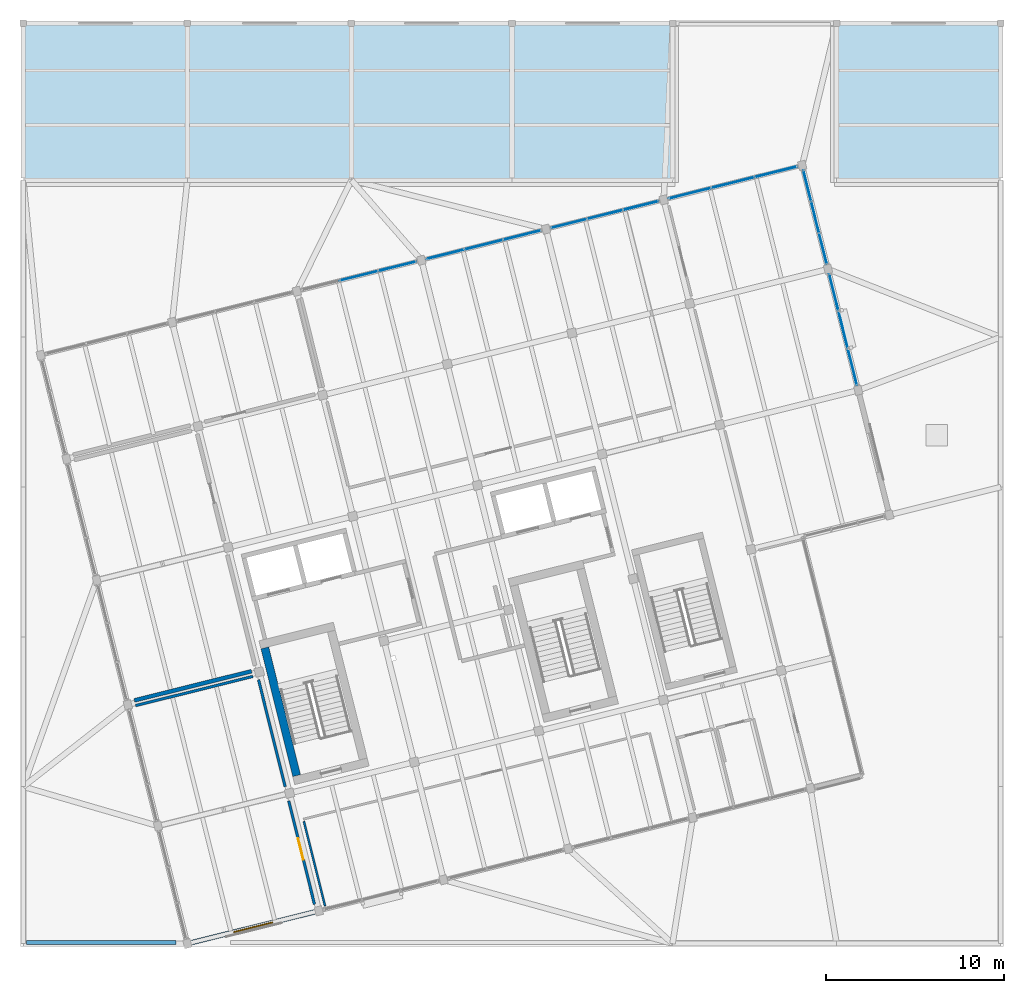
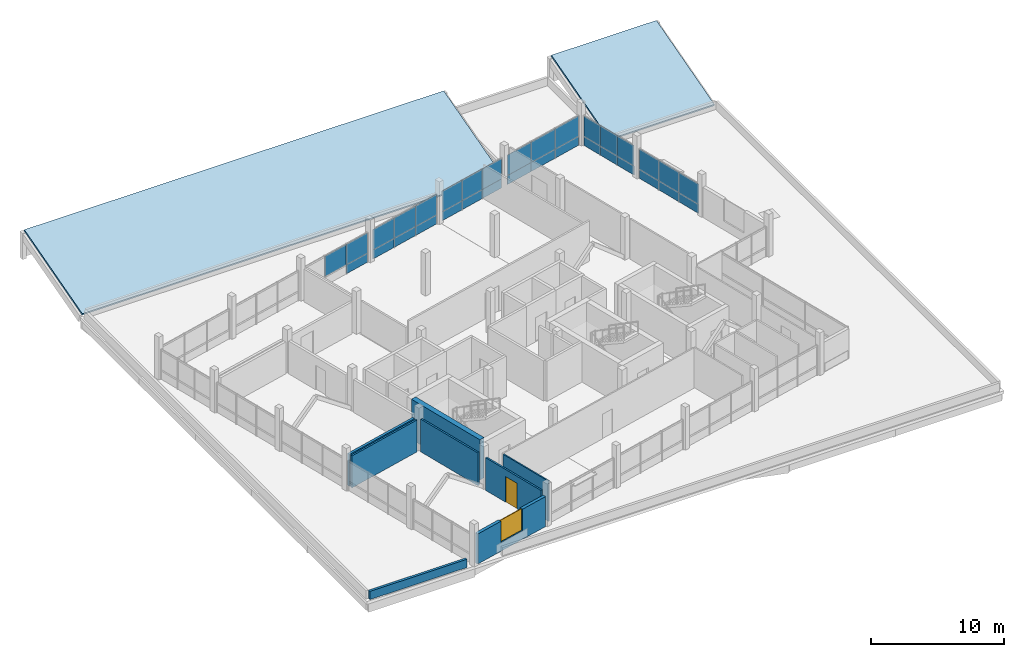
# One storey, part 33 of 37: 33 plates, 8 walls, 2 slabs, 1 door, 1 window, 2 openings, 8 elements without a shape of their own.
"""IFC4 building model written with IfcOpenShell, lengths in metres."""

from ifc_helpers import new_model, si_unit, direction, frame, frame_2d, origin, origin_2d, place, context, subcontext, project, spatial, polyline, rectangle, outline, extrude, material, layer, layer_set, type_object, element, fill, aggregate, save


model = new_model("IFC4")

# Units and contexts
model_context = context("Model", 3, precision=1e-05, world=origin(), true_north=direction((0.0, 1.0)))
body_context = subcontext(model_context, "Body", "Model", "MODEL_VIEW")
ifc_project = project(units=[si_unit("LENGTHUNIT", "METRE"), si_unit("AREAUNIT", "SQUARE_METRE"), si_unit("VOLUMEUNIT", "CUBIC_METRE"), si_unit("PLANEANGLEUNIT", "RADIAN"), si_unit("MASSUNIT", "GRAM", prefix="KILO")], contexts=[model_context])

# Site, building, storey
site_placement = place(None, origin())
site = spatial("IfcSite", under=ifc_project, at=site_placement, CompositionType="ELEMENT")
building_placement = place(site_placement, origin())
building = spatial("IfcBuilding", under=site, at=building_placement, Name="Meriwether Solvik Hall", CompositionType="ELEMENT")
storey_placement = place(building_placement, frame((0.0, 0.0, 26.10009765625)))
storey = spatial("IfcBuildingStorey", under=building, at=storey_placement, Name="L06", CompositionType="ELEMENT", Elevation=26.10009765625)

# Curtain wall, plates
ifc_material_1 = material(Name="Thermally Broken Anodised Aluminium 6063-T6 and Low-E Glass", Category="aluminium")
ifc_layer_1 = layer(ifc_material_1, 0.179931640625)
ifc_layer_set_1 = layer_set([ifc_layer_1], Name="Thermally Broken Anodised Aluminium 6063-T6 and Low-E Glass")
curtain_wall_type_1 = type_object("IfcCurtainWallType", Name="CW-UNIT-E", PredefinedType="USERDEFINED", material=ifc_layer_set_1)
curtain_wall_1_placement = place(storey_placement, origin())
curtain_wall_1 = element("IfcCurtainWall", 1, at=curtain_wall_1_placement, inside=storey, type_object=curtain_wall_type_1, Name="Curtain Wall E4_B4 (L06)", ObjectType="UNITISED CURTAIN WALL", PredefinedType="USERDEFINED")
ifc_material_2 = material(Name="Low-Emissivity Double-Glazed Laminated Glass", Category="glass")
ifc_layer_2 = layer(ifc_material_2, 0.031982421875)
ifc_layer_set_2 = layer_set([ifc_layer_2], Name="Low-Emissivity Double-Glazed Laminated Glass")
plate_type_1 = type_object("IfcPlateType", Name="PLT-GLZ-180X185", PredefinedType="CURTAIN_PANEL", material=ifc_layer_set_2)
plate_1_placement = place(storey_placement, frame((89.9931640625, 81.57470703125, 0.82470703125), z_axis=(0.0, 0.0, 1.0), x_axis=(0.970295747269, 0.2419218114, 0.0)))
plate_1 = element("IfcPlate", 2, at=plate_1_placement, type_object=plate_type_1, Name="Low-E Vision Glazing Panel 1", PredefinedType="CURTAIN_PANEL", context=body_context, shape_type="SweptSolid", body=[
    extrude(rectangle(XDim=2.047607421875, YDim=0.033935546875, at=origin_2d()), origin(), (0.0, 0.0, 1.0), 1.864990234375),
])
plate_2_placement = place(storey_placement, frame((92.00634765625, 82.07666015625, 0.82470703125), z_axis=(0.0, 0.0, 1.0), x_axis=(0.970295747269, 0.2419218114, 0.0)))
plate_2 = element("IfcPlate", 3, at=plate_2_placement, type_object=plate_type_1, Name="Low-E Vision Glazing Panel 2", PredefinedType="CURTAIN_PANEL", context=body_context, shape_type="SweptSolid", body=[
    extrude(rectangle(XDim=2.085693359375, YDim=0.033935546875, at=origin_2d()), origin(), (0.0, 0.0, 1.0), 1.864990234375),
])
plate_3_placement = place(storey_placement, frame((94.019287109375, 82.57861328125, 0.82470703125), z_axis=(0.0, 0.0, 1.0), x_axis=(0.970295747269, 0.2419218114, 0.0)))
plate_3 = element("IfcPlate", 4, at=plate_3_placement, type_object=plate_type_1, Name="Low-E Vision Glazing Panel 3", PredefinedType="CURTAIN_PANEL", context=body_context, shape_type="SweptSolid", body=[
    extrude(rectangle(XDim=2.047607421875, YDim=0.033935546875, at=origin_2d()), origin(), (0.0, 0.0, 1.0), 1.864990234375),
])

ifc_material_3 = material(Name="Thermally Broken Anodised Aluminium 6063-T6 and Low-E Glass", Category="aluminium")
ifc_layer_3 = layer(ifc_material_3, 0.179931640625)
ifc_layer_set_3 = layer_set([ifc_layer_3], Name="Thermally Broken Anodised Aluminium 6063-T6 and Low-E Glass")
curtain_wall_type_2 = type_object("IfcCurtainWallType", Name="CW-UNIT-D", PredefinedType="USERDEFINED", material=ifc_layer_set_3)
curtain_wall_2_placement = place(storey_placement, origin())
curtain_wall_2 = element("IfcCurtainWall", 5, at=curtain_wall_2_placement, inside=storey, type_object=curtain_wall_type_2, Name="Curtain Wall E4_B3 (L06)", ObjectType="UNITISED CURTAIN WALL", PredefinedType="USERDEFINED")
ifc_material_4 = material(Name="Low-Emissivity Double-Glazed Laminated Glass", Category="glass")
ifc_layer_4 = layer(ifc_material_4, 0.031982421875)
ifc_layer_set_4 = layer_set([ifc_layer_4], Name="Low-Emissivity Double-Glazed Laminated Glass")
plate_type_2 = type_object("IfcPlateType", Name="PLT-GLZ-195X185", PredefinedType="CURTAIN_PANEL", material=ifc_layer_set_4)
plate_4_placement = place(storey_placement, frame((83.07177734375, 79.84912109375, 0.82470703125), z_axis=(0.0, 0.0, 1.0), x_axis=(0.970295734974, 0.241921860714, 0.0)))
plate_4 = element("IfcPlate", 6, at=plate_4_placement, type_object=plate_type_2, Name="Low-E Vision Glazing Panel 1", PredefinedType="CURTAIN_PANEL", context=body_context, shape_type="SweptSolid", body=[
    extrude(rectangle(XDim=2.180908203125, YDim=0.033935546875, at=origin_2d()), origin(), (0.0, 0.0, 1.0), 1.864990234375),
])
plate_5_placement = place(storey_placement, frame((85.214111328125, 80.38330078125, 0.82470703125), z_axis=(0.0, 0.0, 1.0), x_axis=(0.970295734974, 0.241921860714, 0.0)))
plate_5 = element("IfcPlate", 7, at=plate_5_placement, type_object=plate_type_2, Name="Low-E Vision Glazing Panel 2", PredefinedType="CURTAIN_PANEL", context=body_context, shape_type="SweptSolid", body=[
    extrude(rectangle(XDim=2.218994140625, YDim=0.033935546875, at=origin_2d()), origin(), (0.0, 0.0, 1.0), 1.864990234375),
])
plate_6_placement = place(storey_placement, frame((87.356689453125, 80.91748046875, 0.82470703125), z_axis=(0.0, 0.0, 1.0), x_axis=(0.970295734974, 0.241921860714, 0.0)))
plate_6 = element("IfcPlate", 8, at=plate_6_placement, type_object=plate_type_2, Name="Low-E Vision Glazing Panel 3", PredefinedType="CURTAIN_PANEL", context=body_context, shape_type="SweptSolid", body=[
    extrude(rectangle(XDim=2.180908203125, YDim=0.033935546875, at=origin_2d()), origin(), (0.0, 0.0, 1.0), 1.864990234375),
])

ifc_material_5 = material(Name="Thermally Broken Anodised Aluminium 6063-T6 and Low-E Glass", Category="aluminium")
ifc_layer_5 = layer(ifc_material_5, 0.179931640625)
ifc_layer_set_5 = layer_set([ifc_layer_5], Name="Thermally Broken Anodised Aluminium 6063-T6 and Low-E Glass")
curtain_wall_type_3 = type_object("IfcCurtainWallType", Name="CW-UNIT-B", PredefinedType="USERDEFINED", material=ifc_layer_set_5)
curtain_wall_3_placement = place(storey_placement, origin())
curtain_wall_3 = element("IfcCurtainWall", 9, at=curtain_wall_3_placement, inside=storey, type_object=curtain_wall_type_3, Name="Curtain Wall E3_B2 (L06)", ObjectType="UNITISED CURTAIN WALL", PredefinedType="USERDEFINED")
ifc_material_6 = material(Name="Low-Emissivity Double-Glazed Laminated Glass", Category="glass")
ifc_layer_6 = layer(ifc_material_6, 0.031982421875)
ifc_layer_set_6 = layer_set([ifc_layer_6], Name="Low-Emissivity Double-Glazed Laminated Glass")
plate_type_3 = type_object("IfcPlateType", Name="PLT-GLZ-210X195", PredefinedType="CURTAIN_PANEL", material=ifc_layer_set_6)
plate_7_placement = place(storey_placement, frame((103.35595703125, 83.677978515625, 0.82470703125), z_axis=(0.0, 0.0, 1.0), x_axis=(0.241921905778, -0.970295723738, 0.0)))
plate_7 = element("IfcPlate", 10, at=plate_7_placement, type_object=plate_type_3, Name="Low-E Vision Glazing Panel 1", PredefinedType="CURTAIN_PANEL", context=body_context, shape_type="SweptSolid", body=[
    extrude(rectangle(XDim=1.781005859375, YDim=0.033935546875, at=origin_2d()), origin(), (0.0, 0.0, 1.0), 1.864990234375),
])
plate_8_placement = place(storey_placement, frame((103.79345703125, 81.923828125, 0.82470703125), z_axis=(0.0, 0.0, 1.0), x_axis=(0.241921905778, -0.970295723738, 0.0)))
plate_8 = element("IfcPlate", 11, at=plate_8_placement, type_object=plate_type_3, Name="Low-E Vision Glazing Panel 2", PredefinedType="CURTAIN_PANEL", context=body_context, shape_type="SweptSolid", body=[
    extrude(rectangle(XDim=1.819091796875, YDim=0.033935546875, at=origin_2d()), origin(), (0.0, 0.0, 1.0), 1.864990234375),
])
plate_9_placement = place(storey_placement, frame((104.230712890625, 80.16943359375, 0.82470703125), z_axis=(0.0, 0.0, 1.0), x_axis=(0.241921905778, -0.970295723738, 0.0)))
plate_9 = element("IfcPlate", 12, at=plate_9_placement, type_object=plate_type_3, Name="Low-E Vision Glazing Panel 3", PredefinedType="CURTAIN_PANEL", context=body_context, shape_type="SweptSolid", body=[
    extrude(rectangle(XDim=1.781005859375, YDim=0.033935546875, at=origin_2d()), origin(), (0.0, 0.0, 1.0), 1.864990234375),
])

ifc_material_7 = material(Name="Thermally Broken Anodised Aluminium 6063-T6 and Low-E Glass", Category="aluminium")
ifc_layer_7 = layer(ifc_material_7, 0.179931640625)
ifc_layer_set_7 = layer_set([ifc_layer_7], Name="Thermally Broken Anodised Aluminium 6063-T6 and Low-E Glass")
curtain_wall_type_4 = type_object("IfcCurtainWallType", Name="CW-UNIT-C", PredefinedType="USERDEFINED", material=ifc_layer_set_7)
curtain_wall_4_placement = place(storey_placement, origin())
curtain_wall_4 = element("IfcCurtainWall", 13, at=curtain_wall_4_placement, inside=storey, type_object=curtain_wall_type_4, Name="Curtain Wall E4_B2 (L06)", ObjectType="UNITISED CURTAIN WALL", PredefinedType="USERDEFINED")
plate_10_placement = place(storey_placement, frame((78.22802734375, 78.641357421875, 0.82470703125), z_axis=(0.0, 0.0, 1.0), x_axis=(0.970295699836, 0.241922001646, 0.0)))
plate_10 = element("IfcPlate", 14, at=plate_10_placement, type_object=plate_type_3, Name="Low-E Vision Glazing Panel 2", PredefinedType="CURTAIN_PANEL", context=body_context, shape_type="SweptSolid", body=[
    extrude(rectangle(XDim=2.218994140625, YDim=0.033935546875, at=origin_2d()), origin(), (0.0, 0.0, 1.0), 1.864990234375),
])
plate_11_placement = place(storey_placement, frame((80.37060546875, 79.175537109375, 0.82470703125), z_axis=(0.0, 0.0, 1.0), x_axis=(0.970295699836, 0.241922001646, 0.0)))
plate_11 = element("IfcPlate", 15, at=plate_11_placement, type_object=plate_type_3, Name="Low-E Vision Glazing Panel 3", PredefinedType="CURTAIN_PANEL", context=body_context, shape_type="SweptSolid", body=[
    extrude(rectangle(XDim=2.180908203125, YDim=0.033935546875, at=origin_2d()), origin(), (0.0, 0.0, 1.0), 1.864990234375),
])

ifc_material_8 = material(Name="Thermally Broken Anodised Aluminium 6063-T6 and Low-E Glass", Category="aluminium")
ifc_layer_8 = layer(ifc_material_8, 0.179931640625)
ifc_layer_set_8 = layer_set([ifc_layer_8], Name="Thermally Broken Anodised Aluminium 6063-T6 and Low-E Glass")
curtain_wall_type_5 = type_object("IfcCurtainWallType", Name="CW-UNIT-A", PredefinedType="USERDEFINED", material=ifc_layer_set_8)
curtain_wall_5_placement = place(storey_placement, origin())
curtain_wall_5 = element("IfcCurtainWall", 16, at=curtain_wall_5_placement, inside=storey, type_object=curtain_wall_type_5, Name="Curtain Wall E3_B1 (L06)", ObjectType="UNITISED CURTAIN WALL", PredefinedType="USERDEFINED")
ifc_material_9 = material(Name="Low-Emissivity Double-Glazed Laminated Glass", Category="glass")
ifc_layer_9 = layer(ifc_material_9, 0.031982421875)
ifc_layer_set_9 = layer_set([ifc_layer_9], Name="Low-Emissivity Double-Glazed Laminated Glass")
plate_type_4 = type_object("IfcPlateType", Name="PLT-GLZ-225X195", PredefinedType="CURTAIN_PANEL", material=ifc_layer_set_9)
plate_12_placement = place(storey_placement, frame((104.847900390625, 77.694580078125, 0.82470703125), z_axis=(0.0, 0.0, 1.0), x_axis=(0.241921764185, -0.970295759041, 0.0)))
plate_12 = element("IfcPlate", 17, at=plate_12_placement, type_object=plate_type_4, Name="Low-E Vision Glazing Panel 1", PredefinedType="CURTAIN_PANEL", context=body_context, shape_type="SweptSolid", body=[
    extrude(rectangle(XDim=2.1142578125, YDim=0.033935546875, at=origin_2d()), origin(), (0.0, 0.0, 1.0), 1.864990234375),
])
plate_13_placement = place(storey_placement, frame((105.365966796875, 75.61669921875, 0.82470703125), z_axis=(0.0, 0.0, 1.0), x_axis=(0.241921764185, -0.970295759041, 0.0)))
plate_13 = element("IfcPlate", 18, at=plate_13_placement, type_object=plate_type_4, Name="Low-E Vision Glazing Panel 2", PredefinedType="CURTAIN_PANEL", context=body_context, shape_type="SweptSolid", body=[
    extrude(rectangle(XDim=2.15234375, YDim=0.033935546875, at=origin_2d()), origin(), (0.0, 0.0, 1.0), 1.864990234375),
])
plate_14_placement = place(storey_placement, frame((105.884033203125, 73.5390625, 0.82470703125), z_axis=(0.0, 0.0, 1.0), x_axis=(0.241921764185, -0.970295759041, 0.0)))
plate_14 = element("IfcPlate", 19, at=plate_14_placement, type_object=plate_type_4, Name="Low-E Vision Glazing Panel 3", PredefinedType="CURTAIN_PANEL", context=body_context, shape_type="SweptSolid", body=[
    extrude(rectangle(XDim=2.1142578125, YDim=0.033935546875, at=origin_2d()), origin(), (0.0, 0.0, 1.0), 1.864990234375),
])

ifc_material_10 = material(Name="Thermally Broken Anodised Aluminium 6063-T6 and Low-E Glass", Category="aluminium")
ifc_layer_10 = layer(ifc_material_10, 0.179931640625)
ifc_layer_set_10 = layer_set([ifc_layer_10], Name="Thermally Broken Anodised Aluminium 6063-T6 and Low-E Glass")
curtain_wall_type_6 = type_object("IfcCurtainWallType", Name="CW-UNIT-F", PredefinedType="USERDEFINED", material=ifc_layer_set_10)
curtain_wall_6_placement = place(storey_placement, origin())
curtain_wall_6 = element("IfcCurtainWall", 20, at=curtain_wall_6_placement, inside=storey, type_object=curtain_wall_type_6, Name="Curtain Wall E4_B5 (L06)", ObjectType="UNITISED CURTAIN WALL", PredefinedType="USERDEFINED")
plate_15_placement = place(storey_placement, frame((96.785400390625, 83.268310546875, 0.82470703125), z_axis=(0.0, 0.0, 1.0), x_axis=(0.970295753527, 0.241921786302, 0.0)))
plate_15 = element("IfcPlate", 21, at=plate_15_placement, type_object=plate_type_4, Name="Low-E Vision Glazing Panel 1", PredefinedType="CURTAIN_PANEL", context=body_context, shape_type="SweptSolid", body=[
    extrude(rectangle(XDim=2.44775390625, YDim=0.033935546875, at=origin_2d()), origin(), (0.0, 0.0, 1.0), 1.864990234375),
])
plate_16_placement = place(storey_placement, frame((99.1865234375, 83.866943359375, 0.82470703125), z_axis=(0.0, 0.0, 1.0), x_axis=(0.970295753527, 0.241921786302, 0.0)))
plate_16 = element("IfcPlate", 22, at=plate_16_placement, type_object=plate_type_4, Name="Low-E Vision Glazing Panel 2", PredefinedType="CURTAIN_PANEL", context=body_context, shape_type="SweptSolid", body=[
    extrude(rectangle(XDim=2.485595703125, YDim=0.033935546875, at=origin_2d()), origin(), (0.0, 0.0, 1.0), 1.864990234375),
])
plate_17_placement = place(storey_placement, frame((101.587646484375, 84.465576171875, 0.82470703125), z_axis=(0.0, 0.0, 1.0), x_axis=(0.970295753527, 0.241921786302, 0.0)))
plate_17 = element("IfcPlate", 23, at=plate_17_placement, type_object=plate_type_4, Name="Low-E Vision Glazing Panel 3", PredefinedType="CURTAIN_PANEL", context=body_context, shape_type="SweptSolid", body=[
    extrude(rectangle(XDim=2.44775390625, YDim=0.033935546875, at=origin_2d()), origin(), (0.0, 0.0, 1.0), 1.864990234375),
])

# Plate
ifc_material_11 = material(Name="Mineral-Wool Insulated Anodised Aluminium 6063-T6", Category="aluminium")
ifc_layer_11 = layer(ifc_material_11, 0.044921875)
ifc_layer_set_11 = layer_set([ifc_layer_11], Name="Mineral-Wool Insulated Anodised Aluminium 6063-T6")
plate_type_5 = type_object("IfcPlateType", Name="PLT-SPN-225X085", PredefinedType="CURTAIN_PANEL", material=ifc_layer_set_11)
plate_18_placement = place(storey_placement, frame((104.847900390625, 77.694580078125, 0.0), z_axis=(0.0, 0.0, 1.0), x_axis=(0.241921764185, -0.970295759041, 0.0)))
plate_18 = element("IfcPlate", 24, at=plate_18_placement, type_object=plate_type_5, Name="Insulated Spandrel Panel 1", PredefinedType="CURTAIN_PANEL", context=body_context, shape_type="SweptSolid", body=[
    extrude(rectangle(XDim=2.1142578125, YDim=0.044921875, at=origin_2d()), origin(), (0.0, 0.0, 1.0), 0.824951171875),
])

plate_19_placement = place(storey_placement, frame((105.365966796875, 75.61669921875, 0.0), z_axis=(0.0, 0.0, 1.0), x_axis=(0.241921764185, -0.970295759041, 0.0)))
plate_19 = element("IfcPlate", 25, at=plate_19_placement, type_object=plate_type_5, Name="Insulated Spandrel Panel 2", PredefinedType="CURTAIN_PANEL", context=body_context, shape_type="SweptSolid", body=[
    extrude(rectangle(XDim=2.15234375, YDim=0.044921875, at=origin_2d()), origin(), (0.0, 0.0, 1.0), 0.824951171875),
])

plate_20_placement = place(storey_placement, frame((105.884033203125, 73.5390625, 0.0), z_axis=(0.0, 0.0, 1.0), x_axis=(0.241921764185, -0.970295759041, 0.0)))
plate_20 = element("IfcPlate", 26, at=plate_20_placement, type_object=plate_type_5, Name="Insulated Spandrel Panel 3", PredefinedType="CURTAIN_PANEL", context=body_context, shape_type="SweptSolid", body=[
    extrude(rectangle(XDim=2.1142578125, YDim=0.044921875, at=origin_2d()), origin(), (0.0, 0.0, 1.0), 0.824951171875),
])

aggregate(curtain_wall_5, [plate_18, plate_12, plate_19, plate_13, plate_20, plate_14])

plate_21_placement = place(storey_placement, frame((103.35595703125, 83.677978515625, 0.0), z_axis=(0.0, 0.0, 1.0), x_axis=(0.241921905778, -0.970295723738, 0.0)))
plate_21 = element("IfcPlate", 27, at=plate_21_placement, type_object=plate_type_5, Name="Insulated Spandrel Panel 1", PredefinedType="CURTAIN_PANEL", context=body_context, shape_type="SweptSolid", body=[
    extrude(rectangle(XDim=1.781005859375, YDim=0.044921875, at=origin_2d()), origin(), (0.0, 0.0, 1.0), 0.824951171875),
])

plate_22_placement = place(storey_placement, frame((103.79345703125, 81.923828125, 0.0), z_axis=(0.0, 0.0, 1.0), x_axis=(0.241921905778, -0.970295723738, 0.0)))
plate_22 = element("IfcPlate", 28, at=plate_22_placement, type_object=plate_type_5, Name="Insulated Spandrel Panel 2", PredefinedType="CURTAIN_PANEL", context=body_context, shape_type="SweptSolid", body=[
    extrude(rectangle(XDim=1.819091796875, YDim=0.044921875, at=origin_2d()), origin(), (0.0, 0.0, 1.0), 0.824951171875),
])

plate_23_placement = place(storey_placement, frame((104.230712890625, 80.16943359375, 0.0), z_axis=(0.0, 0.0, 1.0), x_axis=(0.241921905778, -0.970295723738, 0.0)))
plate_23 = element("IfcPlate", 29, at=plate_23_placement, type_object=plate_type_5, Name="Insulated Spandrel Panel 3", PredefinedType="CURTAIN_PANEL", context=body_context, shape_type="SweptSolid", body=[
    extrude(rectangle(XDim=1.781005859375, YDim=0.044921875, at=origin_2d()), origin(), (0.0, 0.0, 1.0), 0.824951171875),
])

aggregate(curtain_wall_3, [plate_21, plate_7, plate_22, plate_8, plate_23, plate_9])

plate_24_placement = place(storey_placement, frame((80.37060546875, 79.175537109375, 0.0), z_axis=(0.0, 0.0, 1.0), x_axis=(0.970295699836, 0.241922001646, 0.0)))
plate_24 = element("IfcPlate", 30, at=plate_24_placement, type_object=plate_type_5, Name="Insulated Spandrel Panel 3", PredefinedType="CURTAIN_PANEL", context=body_context, shape_type="SweptSolid", body=[
    extrude(rectangle(XDim=2.180908203125, YDim=0.044921875, at=origin_2d()), origin(), (0.0, 0.0, 1.0), 0.824951171875),
])

aggregate(curtain_wall_4, [plate_10, plate_24, plate_11])

plate_25_placement = place(storey_placement, frame((83.07177734375, 79.84912109375, 0.0), z_axis=(0.0, 0.0, 1.0), x_axis=(0.970295734974, 0.241921860714, 0.0)))
plate_25 = element("IfcPlate", 31, at=plate_25_placement, type_object=plate_type_5, Name="Insulated Spandrel Panel 1", PredefinedType="CURTAIN_PANEL", context=body_context, shape_type="SweptSolid", body=[
    extrude(rectangle(XDim=2.180908203125, YDim=0.044921875, at=origin_2d()), origin(), (0.0, 0.0, 1.0), 0.824951171875),
])

plate_26_placement = place(storey_placement, frame((85.214111328125, 80.38330078125, 0.0), z_axis=(0.0, 0.0, 1.0), x_axis=(0.970295734974, 0.241921860714, 0.0)))
plate_26 = element("IfcPlate", 32, at=plate_26_placement, type_object=plate_type_5, Name="Insulated Spandrel Panel 2", PredefinedType="CURTAIN_PANEL", context=body_context, shape_type="SweptSolid", body=[
    extrude(rectangle(XDim=2.218994140625, YDim=0.044921875, at=origin_2d()), origin(), (0.0, 0.0, 1.0), 0.824951171875),
])

plate_27_placement = place(storey_placement, frame((87.356689453125, 80.91748046875, 0.0), z_axis=(0.0, 0.0, 1.0), x_axis=(0.970295734974, 0.241921860714, 0.0)))
plate_27 = element("IfcPlate", 33, at=plate_27_placement, type_object=plate_type_5, Name="Insulated Spandrel Panel 3", PredefinedType="CURTAIN_PANEL", context=body_context, shape_type="SweptSolid", body=[
    extrude(rectangle(XDim=2.180908203125, YDim=0.044921875, at=origin_2d()), origin(), (0.0, 0.0, 1.0), 0.824951171875),
])

aggregate(curtain_wall_2, [plate_25, plate_4, plate_26, plate_5, plate_27, plate_6])

plate_28_placement = place(storey_placement, frame((89.9931640625, 81.57470703125, 0.0), z_axis=(0.0, 0.0, 1.0), x_axis=(0.970295747269, 0.2419218114, 0.0)))
plate_28 = element("IfcPlate", 34, at=plate_28_placement, type_object=plate_type_5, Name="Insulated Spandrel Panel 1", PredefinedType="CURTAIN_PANEL", context=body_context, shape_type="SweptSolid", body=[
    extrude(rectangle(XDim=2.047607421875, YDim=0.044921875, at=origin_2d()), origin(), (0.0, 0.0, 1.0), 0.824951171875),
])

plate_29_placement = place(storey_placement, frame((92.00634765625, 82.07666015625, 0.0), z_axis=(0.0, 0.0, 1.0), x_axis=(0.970295747269, 0.2419218114, 0.0)))
plate_29 = element("IfcPlate", 35, at=plate_29_placement, type_object=plate_type_5, Name="Insulated Spandrel Panel 2", PredefinedType="CURTAIN_PANEL", context=body_context, shape_type="SweptSolid", body=[
    extrude(rectangle(XDim=2.085693359375, YDim=0.044921875, at=origin_2d()), origin(), (0.0, 0.0, 1.0), 0.824951171875),
])

plate_30_placement = place(storey_placement, frame((94.019287109375, 82.57861328125, 0.0), z_axis=(0.0, 0.0, 1.0), x_axis=(0.970295747269, 0.2419218114, 0.0)))
plate_30 = element("IfcPlate", 36, at=plate_30_placement, type_object=plate_type_5, Name="Insulated Spandrel Panel 3", PredefinedType="CURTAIN_PANEL", context=body_context, shape_type="SweptSolid", body=[
    extrude(rectangle(XDim=2.047607421875, YDim=0.044921875, at=origin_2d()), origin(), (0.0, 0.0, 1.0), 0.824951171875),
])

aggregate(curtain_wall_1, [plate_28, plate_1, plate_29, plate_2, plate_30, plate_3])

plate_31_placement = place(storey_placement, frame((96.785400390625, 83.268310546875, 0.0), z_axis=(0.0, 0.0, 1.0), x_axis=(0.970295753527, 0.241921786302, 0.0)))
plate_31 = element("IfcPlate", 37, at=plate_31_placement, type_object=plate_type_5, Name="Insulated Spandrel Panel 1", PredefinedType="CURTAIN_PANEL", context=body_context, shape_type="SweptSolid", body=[
    extrude(rectangle(XDim=2.44775390625, YDim=0.044921875, at=origin_2d()), origin(), (0.0, 0.0, 1.0), 0.824951171875),
])

plate_32_placement = place(storey_placement, frame((99.1865234375, 83.866943359375, 0.0), z_axis=(0.0, 0.0, 1.0), x_axis=(0.970295753527, 0.241921786302, 0.0)))
plate_32 = element("IfcPlate", 38, at=plate_32_placement, type_object=plate_type_5, Name="Insulated Spandrel Panel 2", PredefinedType="CURTAIN_PANEL", context=body_context, shape_type="SweptSolid", body=[
    extrude(rectangle(XDim=2.485595703125, YDim=0.044921875, at=origin_2d()), origin(), (0.0, 0.0, 1.0), 0.824951171875),
])

plate_33_placement = place(storey_placement, frame((101.587646484375, 84.465576171875, 0.0), z_axis=(0.0, 0.0, 1.0), x_axis=(0.970295753527, 0.241921786302, 0.0)))
plate_33 = element("IfcPlate", 39, at=plate_33_placement, type_object=plate_type_5, Name="Insulated Spandrel Panel 3", PredefinedType="CURTAIN_PANEL", context=body_context, shape_type="SweptSolid", body=[
    extrude(rectangle(XDim=2.44775390625, YDim=0.044921875, at=origin_2d()), origin(), (0.0, 0.0, 1.0), 0.824951171875),
])

aggregate(curtain_wall_6, [plate_31, plate_15, plate_32, plate_16, plate_33, plate_17])

# Roof, slab
ifc_material_12 = material(Name="Cross-Laminated Timber PRG 320 E1", Category="wood")
ifc_layer_12 = layer(ifc_material_12, 0.2451171875)
ifc_layer_set_12 = layer_set([ifc_layer_12], Name="Cross-Laminated Timber PRG 320 E1")
roof_type = type_object("IfcRoofType", Name="ROOF-SHED-CLT", PredefinedType="SHED_ROOF", material=ifc_layer_set_12)
roof_1_placement = place(storey_placement, origin())
roof_1 = element("IfcRoof", 40, at=roof_1_placement, inside=storey, type_object=roof_type, Name="Pitched Mass-Timber Roof w4b_north_w (L06)", PredefinedType="SHED_ROOF")
ifc_material_13 = material(Name="Cross-Laminated Timber PRG 320 E1", Category="wood")
ifc_layer_13 = layer(ifc_material_13, 0.159912109375)
ifc_layer_set_13 = layer_set([ifc_layer_13], Name="Cross-Laminated Timber PRG 320 E1")
slab_type = type_object("IfcSlabType", Name="SLB-ROOF-160", PredefinedType="ROOF", material=ifc_layer_set_13)
slab_1_placement = place(storey_placement, frame((59.455078125, 84.054931640625, 0.1748046875), z_axis=(0.0, -0.268284497995, 0.963339726231), x_axis=(1.0, 0.0, 0.0)))
slab_1 = element("IfcSlab", 41, at=slab_1_placement, type_object=slab_type, Name="Sloped CLT Roof Deck w4b_north_w (L06)", PredefinedType="ROOF", context=body_context, shape_type="SweptSolid", body=[
    extrude(outline(polyline([(0.0, 0.0), (36.2900390625, 0.0), (36.2900390625, 9.020893990193063), (0.0, 9.020893990193063), (0.0, 0.0)])), origin(), (0.0, 0.0, -1.0), 0.159912109375),
])
aggregate(roof_1, [slab_1])

roof_2_placement = place(storey_placement, origin())
roof_2 = element("IfcRoof", 42, at=roof_2_placement, inside=storey, type_object=roof_type, Name="Pitched Mass-Timber Roof w4b_north_e (L06)", PredefinedType="SHED_ROOF")
slab_2_placement = place(storey_placement, frame((105.054931640625, 84.054931640625, 0.1748046875), z_axis=(0.0, -0.268284497995, 0.963339726231), x_axis=(1.0, 0.0, 0.0)))
slab_2 = element("IfcSlab", 43, at=slab_2_placement, type_object=slab_type, Name="Sloped CLT Roof Deck w4b_north_e (L06)", PredefinedType="ROOF", context=body_context, shape_type="SweptSolid", body=[
    extrude(outline(polyline([(0.0, 0.0), (9.090087890625, 0.0), (9.090087890625, 9.020893990193063), (0.0, 9.020893990193063), (0.0, 0.0)])), origin(), (0.0, 0.0, -1.0), 0.159912109375),
])
aggregate(roof_2, [slab_2])

# Wall
ifc_material_14 = material(Name="Acoustic Mineral-Wool Double Gypsum Board", Category="gypsum")
ifc_layer_14 = layer(ifc_material_14, 0.219970703125)
ifc_layer_set_14 = layer_set([ifc_layer_14], Name="Acoustic Mineral-Wool Double Gypsum Board")
wall_type_1 = type_object("IfcWallType", Name="WALL-ACST-220", PredefinedType="PARTITIONING", material=ifc_layer_set_14)
wall_1_placement = place(storey_placement, frame((65.62646484375, 54.835693359375, 0.0), z_axis=(0.0, 0.0, 1.0), x_axis=(0.970299158832, 0.241908127952, 0.0)))
element("IfcWall", 44, at=wall_1_placement, inside=storey, type_object=wall_type_1, Name="L06 Interior Partition cls_6b_s", PredefinedType="PARTITIONING", context=body_context, shape_type="SweptSolid", body=[
    extrude(rectangle(XDim=6.77490234375, YDim=0.219970703125, at=frame_2d((3.387451171875, 0.0))), origin(), (0.0, 0.0, 1.0), 2.919921875),
])

# Wall, opening, window
ifc_material_15 = material(Name="Charred Western Red Cedar Timber and Mineral Wool", Category="wood")
ifc_layer_15 = layer(ifc_material_15, 0.27001953125)
ifc_layer_set_15 = layer_set([ifc_layer_15], Name="Charred Western Red Cedar Timber and Mineral Wool")
wall_type_2 = type_object("IfcWallType", Name="WALL-EXT-270", PredefinedType="SOLIDWALL", material=ifc_layer_set_15)
wall_2_placement = place(storey_placement, frame((75.722412109375, 42.975830078125, 0.0), z_axis=(0.0, 0.0, 1.0), x_axis=(-0.970292397044, -0.24193524803, 0.0)))
wall_2 = element("IfcWall", 45, at=wall_2_placement, inside=storey, type_object=wall_type_2, Name="L06 Timber Rainscreen Wall 1.0", PredefinedType="SOLIDWALL", context=body_context, shape_type="SweptSolid", body=[
    extrude(rectangle(XDim=7.0810546875, YDim=0.27001953125, at=frame_2d((3.54052734375, 0.0))), origin(), (0.0, 0.0, 1.0), 2.75),
])
opening_1_placement = place(wall_2_placement, frame((2.41552734375, 0.0, 0.800048828125)))
opening_1 = element("IfcOpeningElement", 46, at=opening_1_placement, cuts=wall_2, Name="Opening WN-150", PredefinedType="OPENING", context=body_context, shape_type="SweptSolid", body=[
    extrude(rectangle(XDim=2.25, YDim=1.949951171875, at=frame_2d((1.125, 0.97509765625))), frame((0.0, 0.14697265625, 0.0), z_axis=(0.0, -1.0, 0.0), x_axis=(1.0, 0.0, 0.0)), (0.0, 0.0, 1.0), 0.2939453125),
])
ifc_material_16 = material(Name="Thermally Broken Anodised Aluminium and Triple Low-E Glass", Category="aluminium")
window_type = type_object("IfcWindowType", Name="WIN-TW-SHARD-225X195", PartitioningType="SINGLE_PANEL", PredefinedType="WINDOW", material=ifc_material_16)
window_placement = place(opening_1_placement, origin())
window = element("IfcWindow", 47, at=window_placement, inside=storey, type_object=window_type, Name="L06 Punched Window 1.0", OverallHeight=1.949951171875, OverallWidth=2.25, PartitioningType="SINGLE_PANEL", PredefinedType="WINDOW", context=body_context, shape_type="SweptSolid", body=[
    extrude(rectangle(XDim=2.25, YDim=1.949951171875, at=frame_2d((1.125, 0.97509765625))), frame((0.0, 0.030029296875, 0.0), z_axis=(0.0, -1.0, 0.0), x_axis=(1.0, 0.0, 0.0)), (0.0, 0.0, 1.0), 0.06005859375),
])
fill(opening_1, window)

# Walls
ifc_material_17 = material(Name="Tempered Laminated Glass in Anodised Aluminium Frame", Category="aluminium")
ifc_layer_16 = layer(ifc_material_17, 0.112060546875)
ifc_layer_set_16 = layer_set([ifc_layer_16], Name="Tempered Laminated Glass in Anodised Aluminium Frame")
wall_type_3 = type_object("IfcWallType", Name="WALL-GLZ-112", PredefinedType="PARTITIONING", material=ifc_layer_set_16)
wall_3_placement = place(storey_placement, frame((75.13330078125, 48.064453125, 0.0), z_axis=(0.0, 0.0, 1.0), x_axis=(0.241926139776, -0.970294668074, 0.0)))
element("IfcWall", 48, at=wall_3_placement, inside=storey, type_object=wall_type_3, Name="L06 Interior Partition conf_s_w", PredefinedType="PARTITIONING", context=body_context, shape_type="SweptSolid", body=[
    extrude(rectangle(XDim=4.9013671875, YDim=0.112060546875, at=frame_2d((2.45068359375, 0.0))), origin(), (0.0, 0.0, 1.0), 3.679931640625),
])
ifc_material_18 = material(Name="Reinforced Concrete C35/45", Category="concrete")
ifc_layer_17 = layer(ifc_material_18, 0.2099609375)
ifc_layer_set_17 = layer_set([ifc_layer_17], Name="Reinforced Concrete C35/45")
wall_type_4 = type_object("IfcWallType", Name="WALL-PAR-210", PredefinedType="PARAPET", material=ifc_layer_set_17)
wall_4_placement = place(storey_placement, frame((67.959716796875, 41.260009765625, 0.0), z_axis=(0.0, 0.0, 1.0), x_axis=(-1.0, 0.0, 0.0)))
element("IfcWall", 49, at=wall_4_placement, inside=storey, type_object=wall_type_4, Name="Shoulder Collar Roof Parapet 1", PredefinedType="PARAPET", context=body_context, shape_type="SweptSolid", body=[
    extrude(rectangle(XDim=8.3896484375, YDim=0.2099609375, at=frame_2d((4.19482421875, 0.0))), origin(), (0.0, 0.0, 1.0), 0.75),
])

# Wall, opening, door
ifc_material_19 = material(Name="Gypsum Board Partition", Category="gypsum")
ifc_layer_18 = layer(ifc_material_19, 0.14990234375)
ifc_layer_set_18 = layer_set([ifc_layer_18], Name="Gypsum Board Partition")
wall_type_5 = type_object("IfcWallType", Name="WALL-PART-150", PredefinedType="PARTITIONING", material=ifc_layer_set_18)
wall_5_placement = place(storey_placement, frame((75.728759765625, 43.403564453125, 0.0), z_axis=(0.0, 0.0, 1.0), x_axis=(-0.24192989378, 0.970293732071, 0.0)))
wall_5 = element("IfcWall", 50, at=wall_5_placement, inside=storey, type_object=wall_type_5, Name="L06 Interior Partition cls_6a_e", PredefinedType="PARTITIONING", context=body_context, shape_type="SweptSolid", body=[
    extrude(rectangle(XDim=5.97509765625, YDim=0.14990234375, at=frame_2d((2.987548828125, 0.0))), origin(), (0.0, 0.0, 1.0), 2.994873046875),
])
opening_2_placement = place(wall_5_placement, frame((2.57421875, 0.0, 0.0)))
opening_2 = element("IfcOpeningElement", 51, at=opening_2_placement, cuts=wall_5, Name="Opening D-180", PredefinedType="OPENING", context=body_context, shape_type="SweptSolid", body=[
    extrude(rectangle(XDim=1.25, YDim=2.35009765625, at=frame_2d((0.625, 1.175048828125))), frame((0.0, 0.0869140625, 0.0), z_axis=(0.0, -1.0, 0.0), x_axis=(1.0, 0.0, 0.0)), (0.0, 0.0, 1.0), 0.173828125),
])
ifc_material_20 = material(Name="Solid-Core Rift White Oak Timber", Category="wood")
door_type = type_object("IfcDoorType", Name="DR-STD-1250L", OperationType="SINGLE_SWING_LEFT", PredefinedType="DOOR", material=ifc_material_20)
door_placement = place(opening_2_placement, origin())
door = element("IfcDoor", 52, at=door_placement, inside=storey, type_object=door_type, Name="L06 Digital Design Classroom Door", OperationType="SINGLE_SWING_LEFT", OverallHeight=2.35009765625, OverallWidth=1.25, PredefinedType="DOOR", context=body_context, shape_type="SweptSolid", body=[
    extrude(rectangle(XDim=1.25, YDim=2.35009765625, at=frame_2d((0.625, 1.175048828125))), frame((0.0, 0.02490234375, 0.0), z_axis=(0.0, -1.0, 0.0), x_axis=(1.0, 0.0, 0.0)), (0.0, 0.0, 1.0), 0.050048828125),
])
fill(opening_2, door)

# Walls
wall_6_placement = place(storey_placement, frame((74.08349609375, 50.00146484375, 0.0), z_axis=(0.0, 0.0, 1.0), x_axis=(-0.241921603562, 0.970295799089, 0.0)))
element("IfcWall", 53, at=wall_6_placement, inside=storey, type_object=wall_type_5, Name="L06 Interior Partition cls_6a_e_s2", PredefinedType="PARTITIONING", context=body_context, shape_type="SweptSolid", body=[
    extrude(rectangle(XDim=6.175048828125, YDim=0.14990234375, at=frame_2d((3.08740234375, 0.0))), origin(), (0.0, 0.0, 1.0), 2.994873046875),
])
wall_7_placement = place(storey_placement, frame((72.270751953125, 56.18310546875, 0.0), z_axis=(0.0, 0.0, 1.0), x_axis=(-0.97029069988, -0.241942054482, 0.0)))
element("IfcWall", 54, at=wall_7_placement, inside=storey, type_object=wall_type_5, Name="L06 Interior Partition cls_6a_n", PredefinedType="PARTITIONING", context=body_context, shape_type="SweptSolid", body=[
    extrude(rectangle(XDim=6.77490234375, YDim=0.14990234375, at=frame_2d((3.387451171875, 0.0))), origin(), (0.0, 0.0, 1.0), 2.919921875),
])
ifc_material_21 = material(Name="Concrete C45/55", Category="concrete")
ifc_layer_19 = layer(ifc_material_21, 0.449951171875)
ifc_layer_set_19 = layer_set([ifc_layer_19], Name="Concrete C45/55")
wall_type_6 = type_object("IfcWallType", Name="WALL-RC-450", PredefinedType="SHEAR", material=ifc_layer_set_19)
wall_8_placement = place(storey_placement, frame((72.942138671875, 57.782958984375, 0.0), z_axis=(0.0, 0.0, 1.0), x_axis=(0.241928426141, -0.970294098006, 0.0)))
element("IfcWall", 55, at=wall_8_placement, inside=storey, type_object=wall_type_6, Name="CORE-1 Shear Wall W (L06)", PredefinedType="SHEAR", context=body_context, shape_type="SweptSolid", body=[
    extrude(rectangle(XDim=7.3798828125, YDim=0.449951171875, at=frame_2d((3.68994140625, 0.0))), origin(), (0.0, 0.0, 1.0), 3.679931640625),
])

save(model, "model.ifc")
